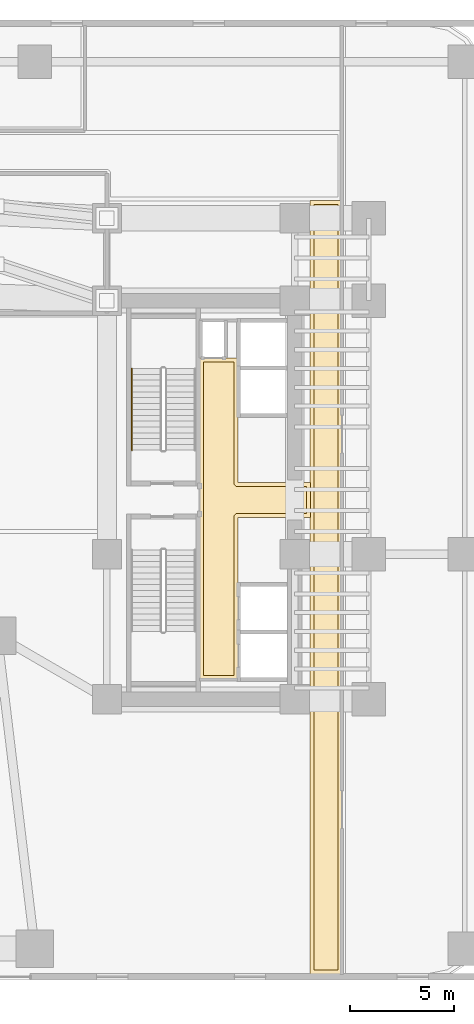
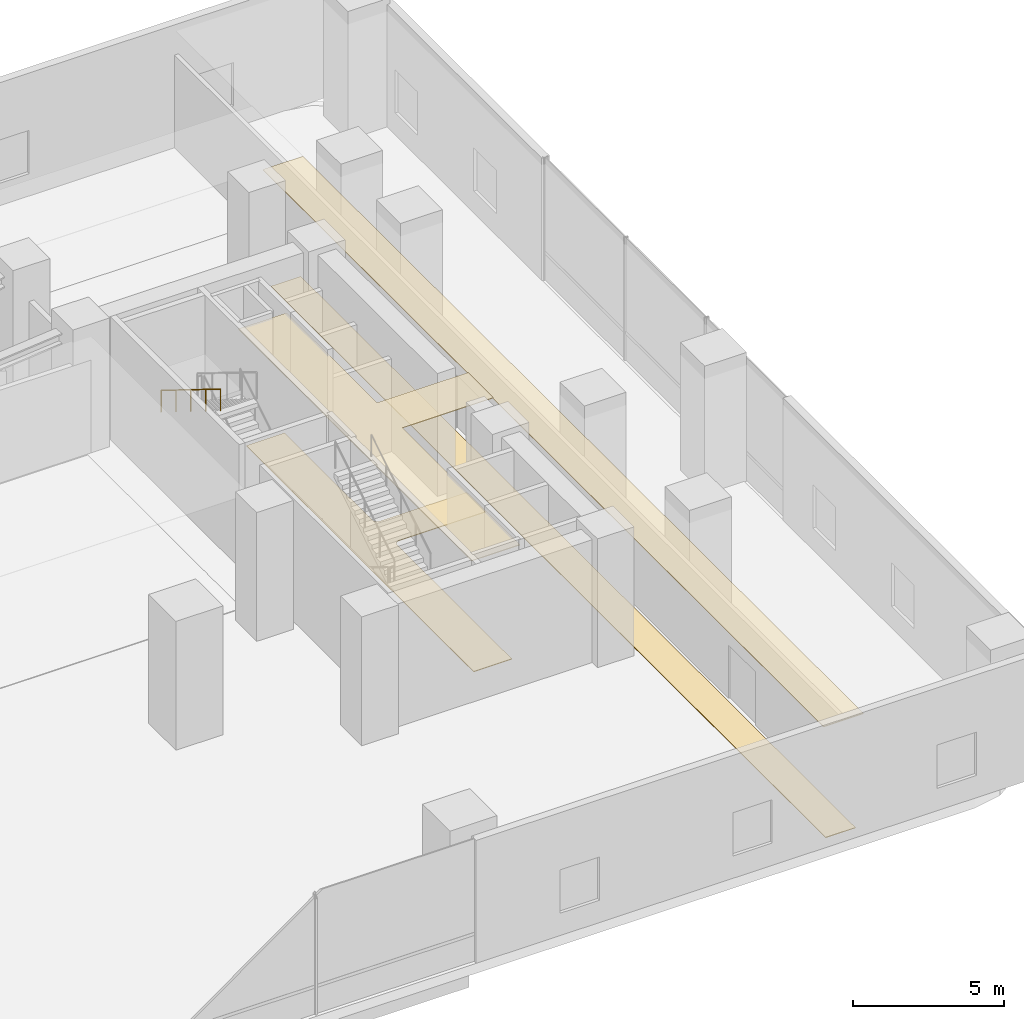
# One storey, part 38 of 41: 4 coverings, 1 railing.
"""IFC4 building model written with IfcOpenShell, lengths in metres."""

import ifcopenshell
import ifcopenshell.guid

model = None  # the IFC model being written
_history = None  # IfcOwnerHistory: only IFC2X3 demands one
_inside = {}  # id of a spatial element -> (the spatial element, [elements in it])
_under = {}  # id of a project, library or spatial element -> (it, [spatial elements below it])
_declared = {}  # id of a project -> (the project, [libraries it declares])
_typed = {}  # id of a type object -> (the type object, [elements of that type])
_made_of = {}  # id of a material, layer set ... -> (it, [elements and type objects made of it])


def new_model(schema):
    """Start an empty IFC model of exactly this schema.

    Asked for "IFC4X3", IfcOpenShell would pick the latest addendum, in which some entities
    have other attributes; the version numbers below select the first issue.
    IFC2X3 requires an IfcOwnerHistory on every rooted entity: one is made here for all.
    """
    global model, _history
    if schema == "IFC4X3":
        model = ifcopenshell.file(schema_version=(4, 3, 0, 0))
    else:
        model = ifcopenshell.file(schema=schema)
    _inside.clear()
    _under.clear()
    _declared.clear()
    _typed.clear()
    _made_of.clear()
    _history = None
    if model.schema == "IFC2X3":
        org = make("IfcOrganization", Name="unknown")
        user = make(
            "IfcPersonAndOrganization",
            ThePerson=make("IfcPerson", FamilyName="unknown"),
            TheOrganization=org,
        )
        app = make(
            "IfcApplication",
            ApplicationDeveloper=org,
            Version="unknown",
            ApplicationFullName="unknown",
            ApplicationIdentifier="unknown",
        )
        _history = make(
            "IfcOwnerHistory",
            OwningUser=user,
            OwningApplication=app,
            ChangeAction="ADDED",
            CreationDate=0,
        )
    return model


def make(cls, **values):
    """One entity of the class cls with the attributes given. An attribute that is None is left unset."""
    return model.create_entity(
        cls, **{name: value for name, value in values.items() if value is not None}
    )


def rooted(cls, **values):
    """An entity with a GlobalId (a new one), such as an element, a storey or a relation."""
    return make(cls, GlobalId=ifcopenshell.guid.new(), OwnerHistory=_history, **values)


def si_unit(unit_type, name, prefix=None):
    """IfcSIUnit, for example si_unit("LENGTHUNIT", "METRE", prefix="MILLI")."""
    return make("IfcSIUnit", UnitType=unit_type, Prefix=prefix, Name=name)


def assignment(units):
    """IfcUnitAssignment: the units of a project."""
    return None if units is None else make("IfcUnitAssignment", Units=units)


def point(xyz):
    """IfcCartesianPoint."""
    return None if xyz is None else make("IfcCartesianPoint", Coordinates=xyz)


def direction(xyz):
    """IfcDirection."""
    return None if xyz is None else make("IfcDirection", DirectionRatios=xyz)


def frame(location, z_axis=None, x_axis=None):
    """IfcAxis2Placement3D, a coordinate frame: its origin and axes. An axis left out is left unset."""
    return make(
        "IfcAxis2Placement3D",
        Location=point(location),
        Axis=direction(z_axis),
        RefDirection=direction(x_axis),
    )


def frame_2d(location, x_axis=None):
    """IfcAxis2Placement2D, a coordinate frame in the plane: its origin and x axis."""
    return make(
        "IfcAxis2Placement2D", Location=point(location), RefDirection=direction(x_axis)
    )


def origin():
    """The frame at (0, 0, 0) with its axes left unset."""
    return frame((0.0, 0.0, 0.0))


def origin_2d():
    """The frame at (0, 0) in the plane with its x axis left unset."""
    return frame_2d((0.0, 0.0))


def place(relative_to, where):
    """IfcLocalPlacement: puts the frame where relative to a parent placement (None: the world)."""
    return make(
        "IfcLocalPlacement", PlacementRelTo=relative_to, RelativePlacement=where
    )


def context(
    kind, dimensions, precision=None, world=None, true_north=None, identifier=None
):
    """IfcGeometricRepresentationContext, for example the 3D "Model" context."""
    return make(
        "IfcGeometricRepresentationContext",
        ContextIdentifier=identifier,
        ContextType=kind,
        CoordinateSpaceDimension=dimensions,
        Precision=precision,
        WorldCoordinateSystem=world,
        TrueNorth=true_north,
    )


def subcontext(parent, identifier, kind, view, scale=None):
    """IfcGeometricRepresentationSubContext, for example "Body" below "Model"."""
    return make(
        "IfcGeometricRepresentationSubContext",
        ContextIdentifier=identifier,
        ContextType=kind,
        ParentContext=parent,
        TargetScale=scale,
        TargetView=view,
    )


def project(units=None, contexts=None):
    """IfcProject with its units and contexts."""
    return rooted(
        "IfcProject",
        Name="project",
        RepresentationContexts=contexts,
        UnitsInContext=assignment(units),
    )


def spatial(cls, under=None, at=None, **own):
    """A site, building, storey or space (cls), placed at a placement, below another one or the project."""
    s = rooted(cls, ObjectPlacement=at, **own)
    if under is not None:
        _under.setdefault(under.id(), (under, []))[1].append(s)
    return s


def polyline(points):
    """IfcPolyline through the points."""
    return make("IfcPolyline", Points=[point(p) for p in points])


def profile(cls, at=None, kind="AREA", **sizes):
    """A parametric profile (cls). Its sizes go by their IFC names, for example OverallWidth=200.0."""
    return make(cls, ProfileType=kind, Position=at, **sizes)


def circle(**sizes):
    """IfcCircleProfileDef."""
    return profile("IfcCircleProfileDef", **sizes)


def outline(outer, holes=None, kind="AREA"):
    """IfcArbitraryClosedProfileDef: a profile drawn as a closed curve; with holes, ...WithVoids."""
    if holes is None:
        return make("IfcArbitraryClosedProfileDef", ProfileType=kind, OuterCurve=outer)
    return make(
        "IfcArbitraryProfileDefWithVoids",
        ProfileType=kind,
        OuterCurve=outer,
        InnerCurves=holes,
    )


def extrude(swept, where, along, depth):
    """IfcExtrudedAreaSolid: the profile swept, set in the frame where, extruded along a direction by depth."""
    return make(
        "IfcExtrudedAreaSolid",
        SweptArea=swept,
        Position=where,
        ExtrudedDirection=direction(along),
        Depth=depth,
    )


def shape(context_of_items, identifier, shape_type, items):
    """IfcShapeRepresentation: the items that make up one representation, for example the "Body"."""
    return make(
        "IfcShapeRepresentation",
        ContextOfItems=context_of_items,
        RepresentationIdentifier=identifier,
        RepresentationType=shape_type,
        Items=items,
    )


def material(Name=None, Category=None):
    """IfcMaterial."""
    return make("IfcMaterial", Name=Name, Category=Category)


def layer(
    of_material, thickness, ventilated=None, Name=None, Category=None, Priority=None
):
    """IfcMaterialLayer: one layer of a wall or slab, of a material (None: an air gap)."""
    return make(
        "IfcMaterialLayer",
        Material=of_material,
        LayerThickness=thickness,
        IsVentilated=ventilated,
        Name=Name,
        Category=Category,
        Priority=Priority,
    )


def layer_set(layers, Name=None):
    """IfcMaterialLayerSet."""
    return make("IfcMaterialLayerSet", MaterialLayers=layers, LayerSetName=Name)


def made_of(thing, what):
    """Note that an element or type object is made of a material, layer set ...; save() writes the relation."""
    if what is not None:
        _made_of.setdefault(what.id(), (what, []))[1].append(thing)
    return thing


def type_object(cls, material=None, **own):
    """A type object (cls), such as IfcWallType, which elements share."""
    return made_of(rooted(cls, **own), material)


def element(
    cls,
    number,
    at=None,
    inside=None,
    cuts=None,
    type_object=None,
    material=None,
    context=None,
    identifier="Body",
    shape_type=None,
    held_by="IfcProductDefinitionShape",
    body=None,
    shapes=None,
    **own,
):
    """One element of the class cls, such as IfcWall. Its Tag is "e" and its number.

    at: its placement. inside: the storey or other place that contains it. cuts: it is an
    opening in that element (IfcRelVoidsElement). A single representation is given by context,
    identifier, shape_type and body (its items); several are given by shapes. held_by: the class
    of the entity that holds the representations. save() writes the other relations.
    """
    e = rooted(cls, Tag="e%d" % number, ObjectPlacement=at, **own)
    if body is not None:
        shapes = [shape(context, identifier, shape_type, body)]
    if shapes is not None:
        e.Representation = make(held_by, Representations=shapes)
    if inside is not None:
        _inside.setdefault(inside.id(), (inside, []))[1].append(e)
    if cuts is not None:
        rooted(
            "IfcRelVoidsElement", RelatingBuildingElement=cuts, RelatedOpeningElement=e
        )
    if type_object is not None:
        _typed.setdefault(type_object.id(), (type_object, []))[1].append(e)
    return made_of(e, material)


def aggregate(whole, parts):
    """IfcRelAggregates: a whole, such as a stair, and the parts it consists of."""
    return rooted("IfcRelAggregates", RelatingObject=whole, RelatedObjects=parts)


def save(model, path):
    """Write the relations noted so far, then the file.

    IfcRelAggregates (storeys below a building ...), IfcRelContainedInSpatialStructure (elements
    in a storey), IfcRelDefinesByType, IfcRelAssociatesMaterial and IfcRelDeclares: one each for
    every whole, place, type object, material and project.
    """
    for whole, parts in _under.values():
        aggregate(whole, parts)
    for where, things in _inside.values():
        rooted(
            "IfcRelContainedInSpatialStructure",
            RelatedElements=things,
            RelatingStructure=where,
        )
    for kind, things in _typed.values():
        rooted("IfcRelDefinesByType", RelatedObjects=things, RelatingType=kind)
    for what, things in _made_of.values():
        rooted("IfcRelAssociatesMaterial", RelatedObjects=things, RelatingMaterial=what)
    for by, libraries in _declared.values():
        rooted("IfcRelDeclares", RelatingContext=by, RelatedDefinitions=libraries)
    model.write(path)


model = new_model("IFC4")

# Units and contexts
model_context = context("Model", 3, precision=1e-05, world=origin(), true_north=direction((0.0, 1.0)))
body_context = subcontext(model_context, "Body", "Model", "MODEL_VIEW")
ifc_project = project(units=[si_unit("LENGTHUNIT", "METRE"), si_unit("AREAUNIT", "SQUARE_METRE"), si_unit("VOLUMEUNIT", "CUBIC_METRE"), si_unit("PLANEANGLEUNIT", "RADIAN"), si_unit("MASSUNIT", "GRAM", prefix="KILO")], contexts=[model_context])

# Site, building, storey
site_placement = place(None, origin())
site = spatial("IfcSite", under=ifc_project, at=site_placement, CompositionType="ELEMENT")
building_placement = place(site_placement, origin())
building = spatial("IfcBuilding", under=site, at=building_placement, Name="Valdorenza Pilgrim Sanctuary Tower", CompositionType="ELEMENT")
storey_placement = place(building_placement, frame((0.0, 0.0, 20.800048828125)))
storey = spatial("IfcBuildingStorey", under=building, at=storey_placement, Name="L04", CompositionType="ELEMENT", Elevation=20.800048828125)

# Coverings
ifc_material_1 = material(Name="Micro-perforated acoustic mineral ceiling tile", Category="gypsum")
ifc_layer_1 = layer(ifc_material_1, 0.02490234375, Name="Micro-perforated acoustic mineral ceiling tile")
ifc_layer_set_1 = layer_set([ifc_layer_1], Name="Micro-perforated acoustic mineral ceiling tile")
covering_type_1 = type_object("IfcCoveringType", Name="COV-CLG-ACU", PredefinedType="CEILING", material=ifc_layer_set_1)
covering_1_placement = place(storey_placement, frame((0.0, 0.0, 4.659912109375)))
element("IfcCovering", 1, at=covering_1_placement, inside=storey, type_object=covering_type_1, Name="L04 Core B Passenger Lift Lobby Acoustic Ceiling", PredefinedType="CEILING", context=body_context, shape_type="SweptSolid", body=[
    extrude(outline(polyline([(20.287109375, -0.814697265625), (20.287109375, 0.814697265625), (20.28662109375, 0.815185546875), (20.2861328125, 0.81640625), (20.28564453125, 0.81787109375), (20.285400390625, 0.819091796875), (20.28515625, 0.820556640625), (20.284912109375, 0.822021484375), (20.284912109375, 6.800048828125), (20.28515625, 6.801513671875), (20.285400390625, 6.802978515625), (20.28564453125, 6.804443359375), (20.2861328125, 6.8056640625), (20.286865234375, 6.80712890625), (20.28759765625, 6.808349609375), (20.288330078125, 6.8095703125), (20.289306640625, 6.810546875), (20.29052734375, 6.8115234375), (20.291748046875, 6.8125), (20.29296875, 6.813232421875), (20.294189453125, 6.81396484375), (20.295654296875, 6.814453125), (20.297119140625, 6.814697265625), (20.298583984375, 6.81494140625), (20.300048828125, 6.81494140625), (20.347900390625, 6.81494140625), (20.349365234375, 6.81494140625), (20.350830078125, 6.814697265625), (20.352294921875, 6.814453125), (20.353515625, 6.81396484375), (20.35498046875, 6.813232421875), (20.35546875, 6.81298828125), (21.544677734375, 6.81298828125), (21.545166015625, 6.813232421875), (21.54638671875, 6.81396484375), (21.5478515625, 6.814453125), (21.54931640625, 6.814697265625), (21.550537109375, 6.81494140625), (21.552001953125, 6.81494140625), (22.1201171875, 6.81494140625), (22.12158203125, 6.81494140625), (22.122802734375, 6.814697265625), (22.12451171875, 6.814453125), (22.125732421875, 6.81396484375), (22.127197265625, 6.813232421875), (22.12841796875, 6.8125), (22.12939453125, 6.8115234375), (22.130615234375, 6.810546875), (22.131591796875, 6.8095703125), (22.132568359375, 6.808349609375), (22.13330078125, 6.80712890625), (22.1337890625, 6.8056640625), (22.134521484375, 6.804443359375), (22.134765625, 6.802978515625), (22.135009765625, 6.801513671875), (22.135009765625, 6.800048828125), (22.135009765625, 0.8349609375), (25.60009765625, 0.8349609375), (25.6015625, 0.8349609375), (25.602783203125, 0.834716796875), (25.6044921875, 0.83447265625), (25.605712890625, 0.833984375), (25.607177734375, 0.833251953125), (25.6083984375, 0.83251953125), (25.609619140625, 0.83154296875), (25.610595703125, 0.83056640625), (25.611572265625, 0.82958984375), (25.612548828125, 0.828369140625), (25.61328125, 0.8271484375), (25.614013671875, 0.82568359375), (25.614501953125, 0.824462890625), (25.61474609375, 0.822998046875), (25.614990234375, 0.821533203125), (25.614990234375, 0.820068359375), (25.614990234375, -0.820068359375), (25.614990234375, -0.821533203125), (25.61474609375, -0.822998046875), (25.614501953125, -0.824462890625), (25.614013671875, -0.82568359375), (25.61328125, -0.8271484375), (25.612548828125, -0.828369140625), (25.611572265625, -0.82958984375), (25.610595703125, -0.83056640625), (25.609619140625, -0.83154296875), (25.6083984375, -0.83251953125), (25.607177734375, -0.833251953125), (25.605712890625, -0.833984375), (25.6044921875, -0.83447265625), (25.602783203125, -0.834716796875), (25.6015625, -0.8349609375), (25.60009765625, -0.8349609375), (22.135009765625, -0.8349609375), (22.135009765625, -8.60009765625), (22.135009765625, -8.6015625), (22.134765625, -8.602783203125), (22.134521484375, -8.6044921875), (22.1337890625, -8.605712890625), (22.13330078125, -8.607177734375), (22.132568359375, -8.6083984375), (22.131591796875, -8.609619140625), (22.130615234375, -8.610595703125), (22.12939453125, -8.611572265625), (22.12841796875, -8.612548828125), (22.127197265625, -8.61328125), (22.125732421875, -8.614013671875), (22.12451171875, -8.614501953125), (22.122802734375, -8.61474609375), (22.12158203125, -8.614990234375), (22.1201171875, -8.614990234375), (20.300048828125, -8.614990234375), (20.298583984375, -8.614990234375), (20.297119140625, -8.61474609375), (20.295654296875, -8.614501953125), (20.294189453125, -8.614013671875), (20.29296875, -8.61328125), (20.291748046875, -8.612548828125), (20.29052734375, -8.611572265625), (20.289306640625, -8.610595703125), (20.288330078125, -8.609619140625), (20.28759765625, -8.6083984375), (20.286865234375, -8.607177734375), (20.2861328125, -8.605712890625), (20.28564453125, -8.6044921875), (20.285400390625, -8.602783203125), (20.28515625, -8.6015625), (20.284912109375, -8.60009765625), (20.284912109375, -0.822021484375), (20.28515625, -0.820556640625), (20.285400390625, -0.819091796875), (20.28564453125, -0.81787109375), (20.2861328125, -0.81640625), (20.28662109375, -0.815185546875), (20.287109375, -0.814697265625)])), origin(), (0.0, 0.0, 1.0), 0.025146484375),
])
covering_2_placement = place(storey_placement, frame((0.0, 0.0, 4.659912109375)))
element("IfcCovering", 2, at=covering_2_placement, inside=storey, type_object=covering_type_1, Name="L04 L04 Podium East Corridor Acoustic Ceiling", PredefinedType="CEILING", context=body_context, shape_type="SweptSolid", body=[
    extrude(outline(polyline([(25.5869140625, -0.814697265625), (25.5869140625, 0.814697265625), (25.586669921875, 0.815185546875), (25.586181640625, 0.81640625), (25.585693359375, 0.81787109375), (25.585205078125, 0.819091796875), (25.585205078125, 0.820556640625), (25.5849609375, 0.822021484375), (25.5849609375, 14.347900390625), (25.585205078125, 14.349609375), (25.585205078125, 14.350830078125), (25.585693359375, 14.352294921875), (25.586181640625, 14.353759765625), (25.5869140625, 14.35498046875), (25.58740234375, 14.356201171875), (25.58837890625, 14.357421875), (25.58935546875, 14.358642578125), (25.590576171875, 14.359619140625), (25.591796875, 14.360595703125), (25.593017578125, 14.361083984375), (25.59423828125, 14.36181640625), (25.595703125, 14.3623046875), (25.59716796875, 14.36279296875), (25.598388671875, 14.36279296875), (25.60009765625, 14.363037109375), (27.097900390625, 14.363037109375), (27.099609375, 14.36279296875), (27.100830078125, 14.36279296875), (27.102294921875, 14.3623046875), (27.103759765625, 14.36181640625), (27.10498046875, 14.361083984375), (27.106201171875, 14.360595703125), (27.107421875, 14.359619140625), (27.108642578125, 14.358642578125), (27.109619140625, 14.357421875), (27.110595703125, 14.356201171875), (27.111083984375, 14.35498046875), (27.11181640625, 14.353759765625), (27.1123046875, 14.352294921875), (27.11279296875, 14.350830078125), (27.11279296875, 14.349609375), (27.113037109375, 14.347900390625), (27.113037109375, -22.699951171875), (27.11279296875, -22.701416015625), (27.11279296875, -22.702880859375), (27.1123046875, -22.704345703125), (27.11181640625, -22.705810546875), (27.111083984375, -22.70703125), (27.110595703125, -22.708251953125), (27.109619140625, -22.70947265625), (27.108642578125, -22.710693359375), (27.107421875, -22.711669921875), (27.106201171875, -22.71240234375), (27.10498046875, -22.713134765625), (27.103759765625, -22.7138671875), (27.102294921875, -22.71435546875), (27.100830078125, -22.714599609375), (27.099609375, -22.71484375), (27.097900390625, -22.715087890625), (25.60009765625, -22.715087890625), (25.598388671875, -22.71484375), (25.59716796875, -22.714599609375), (25.595703125, -22.71435546875), (25.59423828125, -22.7138671875), (25.593017578125, -22.713134765625), (25.591796875, -22.71240234375), (25.590576171875, -22.711669921875), (25.58935546875, -22.710693359375), (25.58837890625, -22.70947265625), (25.58740234375, -22.708251953125), (25.5869140625, -22.70703125), (25.586181640625, -22.705810546875), (25.585693359375, -22.704345703125), (25.585205078125, -22.702880859375), (25.585205078125, -22.701416015625), (25.5849609375, -22.699951171875), (25.5849609375, -0.822021484375), (25.585205078125, -0.820556640625), (25.585205078125, -0.819091796875), (25.585693359375, -0.81787109375), (25.586181640625, -0.81640625), (25.586669921875, -0.815185546875), (25.5869140625, -0.814697265625)])), origin(), (0.0, 0.0, 1.0), 0.025146484375),
])
ifc_material_2 = material(Name="Honed travertine stone flooring", Category="masonry")
ifc_layer_2 = layer(ifc_material_2, 0.030029296875, Name="Honed travertine stone flooring")
ifc_layer_set_2 = layer_set([ifc_layer_2], Name="Honed travertine stone flooring")
covering_type_2 = type_object("IfcCoveringType", Name="COV-FLR-TRV", PredefinedType="FLOORING", material=ifc_layer_set_2)
covering_3_placement = place(storey_placement, origin())
element("IfcCovering", 3, at=covering_3_placement, inside=storey, type_object=covering_type_2, Name="L04 Core B Passenger Lift Lobby Flooring", PredefinedType="FLOORING", context=body_context, shape_type="SweptSolid", body=[
    extrude(outline(polyline([(20.47998046875, 6.617919921875), (21.550048828125, 6.617919921875), (21.550537109375, 6.617919921875), (21.93994140625, 6.619384765625), (21.93994140625, 0.820068359375), (21.94091796875, 0.802490234375), (21.943603515625, 0.784912109375), (21.94775390625, 0.767578125), (21.95361328125, 0.751220703125), (21.961181640625, 0.735107421875), (21.97021484375, 0.719970703125), (21.98095703125, 0.705810546875), (21.99267578125, 0.692626953125), (22.005859375, 0.680908203125), (22.02001953125, 0.67041015625), (22.03515625, 0.661376953125), (22.051025390625, 0.65380859375), (22.067626953125, 0.647705078125), (22.0849609375, 0.6435546875), (22.102294921875, 0.640869140625), (22.1201171875, 0.639892578125), (25.419921875, 0.639892578125), (25.419921875, -0.639892578125), (22.1201171875, -0.639892578125), (22.102294921875, -0.640869140625), (22.0849609375, -0.6435546875), (22.067626953125, -0.647705078125), (22.051025390625, -0.65380859375), (22.03515625, -0.661376953125), (22.02001953125, -0.67041015625), (22.005859375, -0.680908203125), (21.99267578125, -0.692626953125), (21.98095703125, -0.705810546875), (21.97021484375, -0.719970703125), (21.961181640625, -0.735107421875), (21.95361328125, -0.751220703125), (21.94775390625, -0.767578125), (21.943603515625, -0.784912109375), (21.94091796875, -0.802490234375), (21.93994140625, -0.820068359375), (21.93994140625, -8.419921875), (20.47998046875, -8.419921875), (20.47998046875, -0.846923828125), (20.47998046875, -0.8466796875), (20.47998046875, -0.8466796875), (20.481689453125, -0.8291015625), (20.481689453125, -0.828857421875), (20.48193359375, -0.820068359375), (20.48193359375, 0.820068359375), (20.47998046875, 6.617919921875)])), origin(), (0.0, 0.0, 1.0), 0.02490234375),
])
covering_4_placement = place(storey_placement, origin())
element("IfcCovering", 4, at=covering_4_placement, inside=storey, type_object=covering_type_2, Name="L04 L04 Podium East Corridor Flooring", PredefinedType="FLOORING", context=body_context, shape_type="SweptSolid", body=[
    extrude(outline(polyline([(25.780029296875, -22.52001953125), (25.780029296875, -0.846923828125), (25.780029296875, -0.8466796875), (25.780029296875, -0.8466796875), (25.78173828125, -0.8291015625), (25.78173828125, -0.828857421875), (25.781982421875, -0.820068359375), (25.781982421875, 0.820068359375), (25.780029296875, 14.16796875), (26.91796875, 14.16796875), (26.91796875, -22.52001953125), (25.780029296875, -22.52001953125)])), origin(), (0.0, 0.0, 1.0), 0.02490234375),
])

# Railing
ifc_material_3 = material(Name="Brushed stainless steel Grade 316", Category="steel")
railing_type = type_object("IfcRailingType", Name="RLG-HND-920", PredefinedType="HANDRAIL", material=ifc_material_3)
railing_placement = place(storey_placement, frame((17.050048828125, 6.300048828125, 2.773193359375)))
element("IfcRailing", 5, at=railing_placement, inside=storey, type_object=railing_type, Name="L04 ST-B1 stair handrail 2", PredefinedType="HANDRAIL", context=body_context, shape_type="SweptSolid", body=[
    extrude(circle(Radius=0.02392578125, at=origin_2d()), frame((0.0, 0.0, 0.8759765625), z_axis=(0.0, -0.850266275192, 0.526352791643), x_axis=(1.0, 0.0, 0.0)), (0.0, 0.0, 1.0), 4.610595703125),
    extrude(circle(Radius=0.02099609375, at=origin_2d()), origin(), (0.0, 0.0, 1.0), 0.851806640625),
    extrude(circle(Radius=0.02099609375, at=origin_2d()), frame((0.0, -0.97998046875, 0.606689453125)), (0.0, 0.0, 1.0), 0.851806640625),
    extrude(circle(Radius=0.02099609375, at=origin_2d()), frame((0.0, -1.9599609375, 1.21337890625)), (0.0, 0.0, 1.0), 0.851806640625),
    extrude(circle(Radius=0.02099609375, at=origin_2d()), frame((0.0, -2.940185546875, 1.820068359375)), (0.0, 0.0, 1.0), 0.851806640625),
    extrude(circle(Radius=0.02099609375, at=origin_2d()), frame((0.0, -3.920166015625, 2.4267578125)), (0.0, 0.0, 1.0), 0.851806640625),
])

save(model, "model.ifc")
